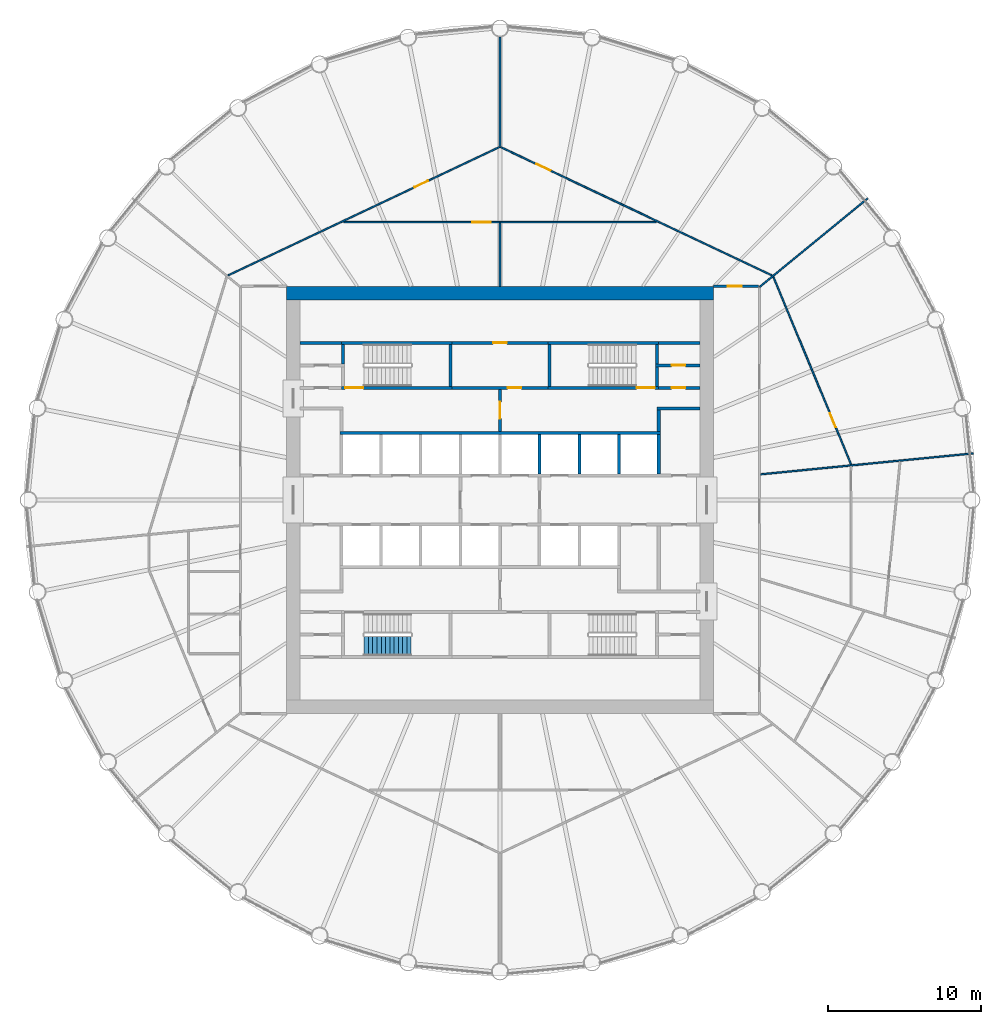
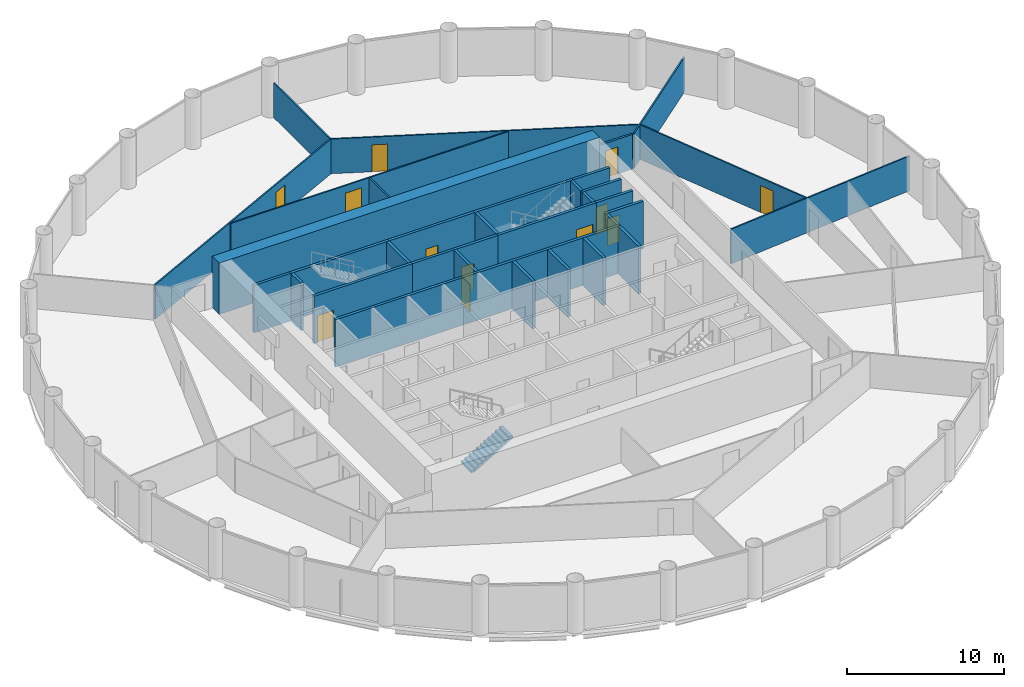
# One storey, part 7 of 9: 33 walls, 12 doors, 1 stair flight, 12 openings, 1 element without a shape of its own.
"""IFC4 building model written with IfcOpenShell, lengths in metres."""

import ifcopenshell
import ifcopenshell.guid

model = None  # the IFC model being written
_history = None  # IfcOwnerHistory: only IFC2X3 demands one
_inside = {}  # id of a spatial element -> (the spatial element, [elements in it])
_under = {}  # id of a project, library or spatial element -> (it, [spatial elements below it])
_declared = {}  # id of a project -> (the project, [libraries it declares])
_typed = {}  # id of a type object -> (the type object, [elements of that type])
_made_of = {}  # id of a material, layer set ... -> (it, [elements and type objects made of it])


def new_model(schema):
    """Start an empty IFC model of exactly this schema.

    Asked for "IFC4X3", IfcOpenShell would pick the latest addendum, in which some entities
    have other attributes; the version numbers below select the first issue.
    IFC2X3 requires an IfcOwnerHistory on every rooted entity: one is made here for all.
    """
    global model, _history
    if schema == "IFC4X3":
        model = ifcopenshell.file(schema_version=(4, 3, 0, 0))
    else:
        model = ifcopenshell.file(schema=schema)
    _inside.clear()
    _under.clear()
    _declared.clear()
    _typed.clear()
    _made_of.clear()
    _history = None
    if model.schema == "IFC2X3":
        org = make("IfcOrganization", Name="unknown")
        user = make(
            "IfcPersonAndOrganization",
            ThePerson=make("IfcPerson", FamilyName="unknown"),
            TheOrganization=org,
        )
        app = make(
            "IfcApplication",
            ApplicationDeveloper=org,
            Version="unknown",
            ApplicationFullName="unknown",
            ApplicationIdentifier="unknown",
        )
        _history = make(
            "IfcOwnerHistory",
            OwningUser=user,
            OwningApplication=app,
            ChangeAction="ADDED",
            CreationDate=0,
        )
    return model


def make(cls, **values):
    """One entity of the class cls with the attributes given. An attribute that is None is left unset."""
    return model.create_entity(
        cls, **{name: value for name, value in values.items() if value is not None}
    )


def rooted(cls, **values):
    """An entity with a GlobalId (a new one), such as an element, a storey or a relation."""
    return make(cls, GlobalId=ifcopenshell.guid.new(), OwnerHistory=_history, **values)


def si_unit(unit_type, name, prefix=None):
    """IfcSIUnit, for example si_unit("LENGTHUNIT", "METRE", prefix="MILLI")."""
    return make("IfcSIUnit", UnitType=unit_type, Prefix=prefix, Name=name)


def assignment(units):
    """IfcUnitAssignment: the units of a project."""
    return None if units is None else make("IfcUnitAssignment", Units=units)


def point(xyz):
    """IfcCartesianPoint."""
    return None if xyz is None else make("IfcCartesianPoint", Coordinates=xyz)


def direction(xyz):
    """IfcDirection."""
    return None if xyz is None else make("IfcDirection", DirectionRatios=xyz)


def frame(location, z_axis=None, x_axis=None):
    """IfcAxis2Placement3D, a coordinate frame: its origin and axes. An axis left out is left unset."""
    return make(
        "IfcAxis2Placement3D",
        Location=point(location),
        Axis=direction(z_axis),
        RefDirection=direction(x_axis),
    )


def frame_2d(location, x_axis=None):
    """IfcAxis2Placement2D, a coordinate frame in the plane: its origin and x axis."""
    return make(
        "IfcAxis2Placement2D", Location=point(location), RefDirection=direction(x_axis)
    )


def origin():
    """The frame at (0, 0, 0) with its axes left unset."""
    return frame((0.0, 0.0, 0.0))


def place(relative_to, where):
    """IfcLocalPlacement: puts the frame where relative to a parent placement (None: the world)."""
    return make(
        "IfcLocalPlacement", PlacementRelTo=relative_to, RelativePlacement=where
    )


def context(
    kind, dimensions, precision=None, world=None, true_north=None, identifier=None
):
    """IfcGeometricRepresentationContext, for example the 3D "Model" context."""
    return make(
        "IfcGeometricRepresentationContext",
        ContextIdentifier=identifier,
        ContextType=kind,
        CoordinateSpaceDimension=dimensions,
        Precision=precision,
        WorldCoordinateSystem=world,
        TrueNorth=true_north,
    )


def subcontext(parent, identifier, kind, view, scale=None):
    """IfcGeometricRepresentationSubContext, for example "Body" below "Model"."""
    return make(
        "IfcGeometricRepresentationSubContext",
        ContextIdentifier=identifier,
        ContextType=kind,
        ParentContext=parent,
        TargetScale=scale,
        TargetView=view,
    )


def project(units=None, contexts=None):
    """IfcProject with its units and contexts."""
    return rooted(
        "IfcProject",
        Name="project",
        RepresentationContexts=contexts,
        UnitsInContext=assignment(units),
    )


def spatial(cls, under=None, at=None, **own):
    """A site, building, storey or space (cls), placed at a placement, below another one or the project."""
    s = rooted(cls, ObjectPlacement=at, **own)
    if under is not None:
        _under.setdefault(under.id(), (under, []))[1].append(s)
    return s


def polyline(points):
    """IfcPolyline through the points."""
    return make("IfcPolyline", Points=[point(p) for p in points])


def profile(cls, at=None, kind="AREA", **sizes):
    """A parametric profile (cls). Its sizes go by their IFC names, for example OverallWidth=200.0."""
    return make(cls, ProfileType=kind, Position=at, **sizes)


def rectangle(**sizes):
    """IfcRectangleProfileDef."""
    return profile("IfcRectangleProfileDef", **sizes)


def outline(outer, holes=None, kind="AREA"):
    """IfcArbitraryClosedProfileDef: a profile drawn as a closed curve; with holes, ...WithVoids."""
    if holes is None:
        return make("IfcArbitraryClosedProfileDef", ProfileType=kind, OuterCurve=outer)
    return make(
        "IfcArbitraryProfileDefWithVoids",
        ProfileType=kind,
        OuterCurve=outer,
        InnerCurves=holes,
    )


def extrude(swept, where, along, depth):
    """IfcExtrudedAreaSolid: the profile swept, set in the frame where, extruded along a direction by depth."""
    return make(
        "IfcExtrudedAreaSolid",
        SweptArea=swept,
        Position=where,
        ExtrudedDirection=direction(along),
        Depth=depth,
    )


def shape(context_of_items, identifier, shape_type, items):
    """IfcShapeRepresentation: the items that make up one representation, for example the "Body"."""
    return make(
        "IfcShapeRepresentation",
        ContextOfItems=context_of_items,
        RepresentationIdentifier=identifier,
        RepresentationType=shape_type,
        Items=items,
    )


def material(Name=None, Category=None):
    """IfcMaterial."""
    return make("IfcMaterial", Name=Name, Category=Category)


def layer(
    of_material, thickness, ventilated=None, Name=None, Category=None, Priority=None
):
    """IfcMaterialLayer: one layer of a wall or slab, of a material (None: an air gap)."""
    return make(
        "IfcMaterialLayer",
        Material=of_material,
        LayerThickness=thickness,
        IsVentilated=ventilated,
        Name=Name,
        Category=Category,
        Priority=Priority,
    )


def layer_set(layers, Name=None):
    """IfcMaterialLayerSet."""
    return make("IfcMaterialLayerSet", MaterialLayers=layers, LayerSetName=Name)


def made_of(thing, what):
    """Note that an element or type object is made of a material, layer set ...; save() writes the relation."""
    if what is not None:
        _made_of.setdefault(what.id(), (what, []))[1].append(thing)
    return thing


def type_object(cls, material=None, **own):
    """A type object (cls), such as IfcWallType, which elements share."""
    return made_of(rooted(cls, **own), material)


def element(
    cls,
    number,
    at=None,
    inside=None,
    cuts=None,
    type_object=None,
    material=None,
    context=None,
    identifier="Body",
    shape_type=None,
    held_by="IfcProductDefinitionShape",
    body=None,
    shapes=None,
    **own,
):
    """One element of the class cls, such as IfcWall. Its Tag is "e" and its number.

    at: its placement. inside: the storey or other place that contains it. cuts: it is an
    opening in that element (IfcRelVoidsElement). A single representation is given by context,
    identifier, shape_type and body (its items); several are given by shapes. held_by: the class
    of the entity that holds the representations. save() writes the other relations.
    """
    e = rooted(cls, Tag="e%d" % number, ObjectPlacement=at, **own)
    if body is not None:
        shapes = [shape(context, identifier, shape_type, body)]
    if shapes is not None:
        e.Representation = make(held_by, Representations=shapes)
    if inside is not None:
        _inside.setdefault(inside.id(), (inside, []))[1].append(e)
    if cuts is not None:
        rooted(
            "IfcRelVoidsElement", RelatingBuildingElement=cuts, RelatedOpeningElement=e
        )
    if type_object is not None:
        _typed.setdefault(type_object.id(), (type_object, []))[1].append(e)
    return made_of(e, material)


def fill(opening, filler):
    """IfcRelFillsElement: the door or window that sits in an opening."""
    return rooted(
        "IfcRelFillsElement",
        RelatingOpeningElement=opening,
        RelatedBuildingElement=filler,
    )


def aggregate(whole, parts):
    """IfcRelAggregates: a whole, such as a stair, and the parts it consists of."""
    return rooted("IfcRelAggregates", RelatingObject=whole, RelatedObjects=parts)


def save(model, path):
    """Write the relations noted so far, then the file.

    IfcRelAggregates (storeys below a building ...), IfcRelContainedInSpatialStructure (elements
    in a storey), IfcRelDefinesByType, IfcRelAssociatesMaterial and IfcRelDeclares: one each for
    every whole, place, type object, material and project.
    """
    for whole, parts in _under.values():
        aggregate(whole, parts)
    for where, things in _inside.values():
        rooted(
            "IfcRelContainedInSpatialStructure",
            RelatedElements=things,
            RelatingStructure=where,
        )
    for kind, things in _typed.values():
        rooted("IfcRelDefinesByType", RelatedObjects=things, RelatingType=kind)
    for what, things in _made_of.values():
        rooted("IfcRelAssociatesMaterial", RelatedObjects=things, RelatingMaterial=what)
    for by, libraries in _declared.values():
        rooted("IfcRelDeclares", RelatingContext=by, RelatedDefinitions=libraries)
    model.write(path)


model = new_model("IFC4")

# Units and contexts
model_context = context("Model", 3, precision=1e-05, world=origin(), true_north=direction((0.0, 1.0)))
body_context = subcontext(model_context, "Body", "Model", "MODEL_VIEW")
ifc_project = project(units=[si_unit("LENGTHUNIT", "METRE"), si_unit("AREAUNIT", "SQUARE_METRE"), si_unit("VOLUMEUNIT", "CUBIC_METRE"), si_unit("PLANEANGLEUNIT", "RADIAN"), si_unit("MASSUNIT", "GRAM", prefix="KILO")], contexts=[model_context])

# Site, building, storey
site_placement = place(None, origin())
site = spatial("IfcSite", under=ifc_project, at=site_placement, CompositionType="ELEMENT")
building_placement = place(site_placement, origin())
building = spatial("IfcBuilding", under=site, at=building_placement, Name="Corvane Civic Tower", CompositionType="ELEMENT")
storey_placement = place(building_placement, frame((0.0, 0.0, 172.0)))
storey = spatial("IfcBuildingStorey", under=building, at=storey_placement, Name="L40", CompositionType="ELEMENT", Elevation=172.0)

# Wall
ifc_material_1 = material(Name="Concrete C60/75", Category="concrete")
ifc_layer_1 = layer(ifc_material_1, 0.89990234375)
ifc_layer_set_1 = layer_set([ifc_layer_1], Name="Concrete C60/75")
wall_type_1 = type_object("IfcWallType", Name="CORE WALL 900 C60/75", PredefinedType="SHEAR", material=ifc_layer_set_1)
wall_1_placement = place(storey_placement, frame((-14.0, 13.550048828125, 0.0), z_axis=(0.0, 0.0, 1.0), x_axis=(1.0, 0.0, 0.0)))
element("IfcWall", 1, at=wall_1_placement, inside=storey, type_object=wall_type_1, Name="W-L40-core-N", PredefinedType="SHEAR", context=body_context, shape_type="SweptSolid", body=[
    extrude(rectangle(XDim=28.0, YDim=0.89990234375, at=frame_2d((14.0, 0.0))), origin(), (0.0, 0.0, 1.0), 4.0),
])

# Wall, opening, door
ifc_material_2 = material(Name="Concrete C30/37", Category="concrete")
ifc_layer_2 = layer(ifc_material_2, 0.199951171875)
ifc_layer_set_2 = layer_set([ifc_layer_2], Name="Concrete C30/37")
wall_type_2 = type_object("IfcWallType", Name="CR-WALL-200", PredefinedType="PARTITIONING", material=ifc_layer_set_2)
wall_2_placement = place(storey_placement, frame((-3.14990234375, 7.35009765625, 0.0), z_axis=(0.0, 0.0, 1.0), x_axis=(1.0, 0.0, 0.0)))
wall_2 = element("IfcWall", 2, at=wall_2_placement, inside=storey, type_object=wall_type_2, Name="L40 partition wall", PredefinedType="PARTITIONING", context=body_context, shape_type="SweptSolid", body=[
    extrude(rectangle(XDim=6.2998046875, YDim=0.199951171875, at=frame_2d((3.14990234375, 0.0))), origin(), (0.0, 0.0, 1.0), 3.699951171875),
])
opening_1_placement = place(wall_2_placement, frame((3.64990234375, 0.0, 0.0)))
opening_1 = element("IfcOpeningElement", 3, at=opening_1_placement, cuts=wall_2, Name="Opening L40.C07", PredefinedType="OPENING", context=body_context, shape_type="SweptSolid", body=[
    extrude(rectangle(XDim=0.89990234375, YDim=2.10009765625, at=frame_2d((0.449951171875, 1.050048828125))), frame((0.0, 0.10986328125, 0.0), z_axis=(0.0, -1.0, 0.0), x_axis=(1.0, 0.0, 0.0)), (0.0, 0.0, 1.0), 0.219970703125),
])
ifc_material_3 = material(Name="Steel fire door leaf", Category="steel")
door_type_1 = type_object("IfcDoorType", Name="CR-DOOR-900", OperationType="SINGLE_SWING_LEFT", PredefinedType="DOOR", material=ifc_material_3)
door_1_placement = place(opening_1_placement, origin())
door_1 = element("IfcDoor", 4, at=door_1_placement, inside=storey, type_object=door_type_1, Name="L40 door", OperationType="SINGLE_SWING_LEFT", OverallHeight=2.10009765625, OverallWidth=0.89990234375, PredefinedType="DOOR", context=body_context, shape_type="SweptSolid", body=[
    extrude(rectangle(XDim=0.89990234375, YDim=2.10009765625, at=frame_2d((0.449951171875, 1.050048828125))), frame((0.0, 0.02490234375, 0.0), z_axis=(0.0, -1.0, 0.0), x_axis=(1.0, 0.0, 0.0)), (0.0, 0.0, 1.0), 0.050048828125),
])
fill(opening_1, door_1)

wall_3_placement = place(storey_placement, frame((10.39990234375, 7.35009765625, 0.0), z_axis=(0.0, 0.0, 1.0), x_axis=(1.0, 0.0, 0.0)))
wall_3 = element("IfcWall", 5, at=wall_3_placement, inside=storey, type_object=wall_type_2, Name="L40 core partition wall", PredefinedType="PARTITIONING", context=body_context, shape_type="SweptSolid", body=[
    extrude(rectangle(XDim=2.7001953125, YDim=0.199951171875, at=frame_2d((1.35009765625, 0.0))), origin(), (0.0, 0.0, 1.0), 3.699951171875),
])
opening_2_placement = place(wall_3_placement, frame((0.85009765625, 0.0, 0.0)))
opening_2 = element("IfcOpeningElement", 6, at=opening_2_placement, cuts=wall_3, Name="Opening L40.C16", PredefinedType="OPENING", context=body_context, shape_type="SweptSolid", body=[
    extrude(rectangle(XDim=0.89990234375, YDim=2.10009765625, at=frame_2d((0.449951171875, 1.050048828125))), frame((0.0, 0.10986328125, 0.0), z_axis=(0.0, -1.0, 0.0), x_axis=(1.0, 0.0, 0.0)), (0.0, 0.0, 1.0), 0.219970703125),
])
door_2_placement = place(opening_2_placement, origin())
door_2 = element("IfcDoor", 7, at=door_2_placement, inside=storey, type_object=door_type_1, Name="L40 door", OperationType="SINGLE_SWING_LEFT", OverallHeight=2.10009765625, OverallWidth=0.89990234375, PredefinedType="DOOR", context=body_context, shape_type="SweptSolid", body=[
    extrude(rectangle(XDim=0.89990234375, YDim=2.10009765625, at=frame_2d((0.449951171875, 1.050048828125))), frame((0.0, 0.02490234375, 0.0), z_axis=(0.0, -1.0, 0.0), x_axis=(1.0, 0.0, 0.0)), (0.0, 0.0, 1.0), 0.050048828125),
])
fill(opening_2, door_2)

wall_4_placement = place(storey_placement, frame((10.199951171875, 8.824951171875, 0.0), z_axis=(0.0, 0.0, 1.0), x_axis=(1.0, 0.0, 0.0)))
wall_4 = element("IfcWall", 8, at=wall_4_placement, inside=storey, type_object=wall_type_2, Name="L40 partition wall", PredefinedType="PARTITIONING", context=body_context, shape_type="SweptSolid", body=[
    extrude(rectangle(XDim=2.900146484375, YDim=0.199951171875, at=frame_2d((1.4501953125, 0.0))), origin(), (0.0, 0.0, 1.0), 3.699951171875),
])
opening_3_placement = place(wall_4_placement, frame((1.050048828125, 0.0, 0.0)))
opening_3 = element("IfcOpeningElement", 9, at=opening_3_placement, cuts=wall_4, Name="Opening L40.C17", PredefinedType="OPENING", context=body_context, shape_type="SweptSolid", body=[
    extrude(rectangle(XDim=0.89990234375, YDim=2.10009765625, at=frame_2d((0.449951171875, 1.050048828125))), frame((0.0, 0.10986328125, 0.0), z_axis=(0.0, -1.0, 0.0), x_axis=(1.0, 0.0, 0.0)), (0.0, 0.0, 1.0), 0.219970703125),
])
door_3_placement = place(opening_3_placement, origin())
door_3 = element("IfcDoor", 10, at=door_3_placement, inside=storey, type_object=door_type_1, Name="L40 door", OperationType="SINGLE_SWING_LEFT", OverallHeight=2.10009765625, OverallWidth=0.89990234375, PredefinedType="DOOR", context=body_context, shape_type="SweptSolid", body=[
    extrude(rectangle(XDim=0.89990234375, YDim=2.10009765625, at=frame_2d((0.449951171875, 1.050048828125))), frame((0.0, 0.02490234375, 0.0), z_axis=(0.0, -1.0, 0.0), x_axis=(1.0, 0.0, 0.0)), (0.0, 0.0, 1.0), 0.050048828125),
])
fill(opening_3, door_3)

wall_5_placement = place(storey_placement, frame((-3.14990234375, 10.300048828125, 0.0), z_axis=(0.0, 0.0, 1.0), x_axis=(1.0, 0.0, 0.0)))
wall_5 = element("IfcWall", 11, at=wall_5_placement, inside=storey, type_object=wall_type_2, Name="L40 partition wall", PredefinedType="PARTITIONING", context=body_context, shape_type="SweptSolid", body=[
    extrude(rectangle(XDim=6.2998046875, YDim=0.199951171875, at=frame_2d((3.14990234375, 0.0))), origin(), (0.0, 0.0, 1.0), 3.699951171875),
])
opening_4_placement = place(wall_5_placement, frame((2.699951171875, 0.0, 0.0)))
opening_4 = element("IfcOpeningElement", 12, at=opening_4_placement, cuts=wall_5, Name="Opening L40.C09", PredefinedType="OPENING", context=body_context, shape_type="SweptSolid", body=[
    extrude(rectangle(XDim=0.89990234375, YDim=2.10009765625, at=frame_2d((0.449951171875, 1.050048828125))), frame((0.0, 0.10986328125, 0.0), z_axis=(0.0, -1.0, 0.0), x_axis=(1.0, 0.0, 0.0)), (0.0, 0.0, 1.0), 0.219970703125),
])
door_4_placement = place(opening_4_placement, origin())
door_4 = element("IfcDoor", 13, at=door_4_placement, inside=storey, type_object=door_type_1, Name="L40 door", OperationType="SINGLE_SWING_LEFT", OverallHeight=2.10009765625, OverallWidth=0.89990234375, PredefinedType="DOOR", context=body_context, shape_type="SweptSolid", body=[
    extrude(rectangle(XDim=0.89990234375, YDim=2.10009765625, at=frame_2d((0.449951171875, 1.050048828125))), frame((0.0, 0.02490234375, 0.0), z_axis=(0.0, -1.0, 0.0), x_axis=(1.0, 0.0, 0.0)), (0.0, 0.0, 1.0), 0.050048828125),
])
fill(opening_4, door_4)

wall_6_placement = place(storey_placement, frame((0.0, 4.5, 0.0), z_axis=(0.0, 0.0, 1.0), x_axis=(0.0, 1.0, 0.0)))
wall_6 = element("IfcWall", 14, at=wall_6_placement, inside=storey, type_object=wall_type_2, Name="L40 core partition wall", PredefinedType="PARTITIONING", context=body_context, shape_type="SweptSolid", body=[
    extrude(rectangle(XDim=2.75, YDim=0.199951171875, at=frame_2d((1.375, 0.0))), origin(), (0.0, 0.0, 1.0), 3.699951171875),
])
opening_5_placement = place(wall_6_placement, frame((0.824951171875, 0.0, 0.0)))
opening_5 = element("IfcOpeningElement", 15, at=opening_5_placement, cuts=wall_6, Name="Opening L40.C26", PredefinedType="OPENING", context=body_context, shape_type="SweptSolid", body=[
    extrude(rectangle(XDim=1.10009765625, YDim=2.10009765625, at=frame_2d((0.550048828125, 1.050048828125))), frame((0.0, 0.10986328125, 0.0), z_axis=(0.0, -1.0, 0.0), x_axis=(1.0, 0.0, 0.0)), (0.0, 0.0, 1.0), 0.219970703125),
])
ifc_material_4 = material(Name="Steel fire door leaf", Category="steel")
door_type_2 = type_object("IfcDoorType", Name="CR-DOOR-FFL-1100", OperationType="SINGLE_SWING_LEFT", PredefinedType="DOOR", material=ifc_material_4)
door_5_placement = place(opening_5_placement, origin())
door_5 = element("IfcDoor", 16, at=door_5_placement, inside=storey, type_object=door_type_2, Name="L40 lobby door", OperationType="SINGLE_SWING_LEFT", OverallHeight=2.10009765625, OverallWidth=1.10009765625, PredefinedType="DOOR", context=body_context, shape_type="SweptSolid", body=[
    extrude(rectangle(XDim=1.10009765625, YDim=2.10009765625, at=frame_2d((0.550048828125, 1.050048828125))), frame((0.0, 0.02490234375, 0.0), z_axis=(0.0, -1.0, 0.0), x_axis=(1.0, 0.0, 0.0)), (0.0, 0.0, 1.0), 0.050048828125),
])
fill(opening_5, door_5)

# Walls
wall_7_placement = place(storey_placement, origin())
element("IfcWall", 17, at=wall_7_placement, inside=storey, type_object=wall_type_2, Name="L40 core partition wall", PredefinedType="PARTITIONING", context=body_context, shape_type="SweptSolid", body=[
    extrude(outline(polyline([(10.5, 4.5), (10.5, 4.300048828125), (-10.5, 4.300048828125), (-10.5, 4.5), (10.5, 4.5)])), origin(), (0.0, 0.0, 1.0), 3.699951171875),
])
wall_8_placement = place(storey_placement, origin())
element("IfcWall", 18, at=wall_8_placement, inside=storey, type_object=wall_type_2, Name="L40 core partition wall", PredefinedType="PARTITIONING", context=body_context, shape_type="SweptSolid", body=[
    extrude(outline(polyline([(13.10009765625, 5.89990234375), (10.300048828125, 5.89990234375), (10.300048828125, 6.10009765625), (13.10009765625, 6.10009765625), (13.10009765625, 5.89990234375)])), origin(), (0.0, 0.0, 1.0), 3.699951171875),
])
wall_9_placement = place(storey_placement, origin())
element("IfcWall", 19, at=wall_9_placement, inside=storey, type_object=wall_type_2, Name="L40 core partition wall", PredefinedType="PARTITIONING", context=body_context, shape_type="SweptSolid", body=[
    extrude(outline(polyline([(2.699951171875, 1.699951171875), (2.5, 1.699951171875), (2.5, 4.2998046875), (2.699951171875, 4.2998046875), (2.699951171875, 1.699951171875)])), origin(), (0.0, 0.0, 1.0), 3.699951171875),
])
wall_10_placement = place(storey_placement, origin())
element("IfcWall", 20, at=wall_10_placement, inside=storey, type_object=wall_type_2, Name="L40 core partition wall", PredefinedType="PARTITIONING", context=body_context, shape_type="SweptSolid", body=[
    extrude(outline(polyline([(5.300048828125, 1.699951171875), (5.10009765625, 1.699951171875), (5.10009765625, 4.2998046875), (5.300048828125, 4.2998046875), (5.300048828125, 1.699951171875)])), origin(), (0.0, 0.0, 1.0), 3.699951171875),
])
wall_11_placement = place(storey_placement, origin())
element("IfcWall", 21, at=wall_11_placement, inside=storey, type_object=wall_type_2, Name="L40 core partition wall", PredefinedType="PARTITIONING", context=body_context, shape_type="SweptSolid", body=[
    extrude(outline(polyline([(7.89990234375, 1.699951171875), (7.699951171875, 1.699951171875), (7.699951171875, 4.2998046875), (7.89990234375, 4.2998046875), (7.89990234375, 1.699951171875)])), origin(), (0.0, 0.0, 1.0), 3.699951171875),
])
wall_12_placement = place(storey_placement, origin())
element("IfcWall", 22, at=wall_12_placement, inside=storey, type_object=wall_type_2, Name="L40 core partition wall", PredefinedType="PARTITIONING", context=body_context, shape_type="SweptSolid", body=[
    extrude(outline(polyline([(10.5, 1.699951171875), (10.300048828125, 1.699951171875), (10.300048828125, 4.2998046875), (10.5, 4.2998046875), (10.5, 1.699951171875)])), origin(), (0.0, 0.0, 1.0), 3.699951171875),
])
wall_13_placement = place(storey_placement, origin())
element("IfcWall", 23, at=wall_13_placement, inside=storey, type_object=wall_type_2, Name="L40 core partition wall", PredefinedType="PARTITIONING", context=body_context, shape_type="SweptSolid", body=[
    extrude(outline(polyline([(10.5, 4.5), (10.300048828125, 4.5), (10.300048828125, 5.89990234375), (10.5, 5.89990234375), (10.5, 4.5)])), origin(), (0.0, 0.0, 1.0), 3.699951171875),
])
wall_14_placement = place(storey_placement, origin())
element("IfcWall", 24, at=wall_14_placement, inside=storey, type_object=wall_type_2, Name="L40 core partition wall", PredefinedType="PARTITIONING", context=body_context, shape_type="SweptSolid", body=[
    extrude(outline(polyline([(-13.10009765625, 10.199951171875), (-13.10009765625, 10.39990234375), (-10.39990234375, 10.39990234375), (-10.39990234375, 10.199951171875), (-13.10009765625, 10.199951171875)])), origin(), (0.0, 0.0, 1.0), 3.699951171875),
])
wall_15_placement = place(storey_placement, origin())
element("IfcWall", 25, at=wall_15_placement, inside=storey, type_object=wall_type_2, Name="L40 core partition wall", PredefinedType="PARTITIONING", context=body_context, shape_type="SweptSolid", body=[
    extrude(outline(polyline([(10.39990234375, 10.199951171875), (10.39990234375, 10.39990234375), (13.10009765625, 10.39990234375), (13.10009765625, 10.199951171875), (10.39990234375, 10.199951171875)])), origin(), (0.0, 0.0, 1.0), 3.699951171875),
])
ifc_material_5 = material(Name="Plasterboard")
ifc_layer_3 = layer(ifc_material_5, 0.10009765625)
ifc_layer_set_3 = layer_set([ifc_layer_3], Name="Plasterboard")
wall_type_3 = type_object("IfcWallType", Name="Partition 100 plasterboard on studs", PredefinedType="PARTITIONING", material=ifc_layer_set_3)
wall_16_placement = place(storey_placement, frame((17.079833984375, 1.68212890625, 0.0), z_axis=(0.0, 0.0, 1.0), x_axis=(0.995184356936, 0.098020894254, 0.0)))
element("IfcWall", 26, at=wall_16_placement, inside=storey, type_object=wall_type_3, Name="Partition L40.024", PredefinedType="PARTITIONING", context=body_context, shape_type="SweptSolid", body=[
    extrude(rectangle(XDim=13.98779296875, YDim=0.10009765625, at=frame_2d((6.993896484375, 0.0))), origin(), (0.0, 0.0, 1.0), 2.699951171875),
])

# Wall, opening, door
wall_17_placement = place(storey_placement, frame((17.913818359375, 14.617919921875, 0.0), z_axis=(0.0, 0.0, 1.0), x_axis=(0.382684147152, -0.923879236437, 0.0)))
wall_17 = element("IfcWall", 27, at=wall_17_placement, inside=storey, type_object=wall_type_3, Name="Partition L40.025", PredefinedType="PARTITIONING", context=body_context, shape_type="SweptSolid", body=[
    extrude(rectangle(XDim=13.2998046875, YDim=0.10009765625, at=frame_2d((6.64990234375, 0.0))), origin(), (0.0, 0.0, 1.0), 2.699951171875),
])
opening_6_placement = place(wall_17_placement, frame((9.664794921875, 0.0, 0.0)))
opening_6 = element("IfcOpeningElement", 28, at=opening_6_placement, cuts=wall_17, Name="Opening L40.011", PredefinedType="OPENING", context=body_context, shape_type="SweptSolid", body=[
    extrude(rectangle(XDim=1.0, YDim=2.10009765625, at=frame_2d((0.5, 1.050048828125))), frame((0.0, 0.06005859375, 0.0), z_axis=(0.0, -1.0, 0.0), x_axis=(1.0, 0.0, 0.0)), (0.0, 0.0, 1.0), 0.1201171875),
])
ifc_material_6 = material(Name="Timber", Category="wood")
door_type_3 = type_object("IfcDoorType", Name="Single door 1000", OperationType="NOTDEFINED", PredefinedType="DOOR", material=ifc_material_6)
door_6_placement = place(opening_6_placement, origin())
door_6 = element("IfcDoor", 29, at=door_6_placement, inside=storey, type_object=door_type_3, Name="Door L40.011", OperationType="SINGLE_SWING_LEFT", OverallHeight=2.10009765625, OverallWidth=1.0, PredefinedType="DOOR", context=body_context, shape_type="SweptSolid", body=[
    extrude(rectangle(XDim=1.0, YDim=2.10009765625, at=frame_2d((0.5, 1.050048828125))), frame((0.0, 0.02490234375, 0.0), z_axis=(0.0, -1.0, 0.0), x_axis=(1.0, 0.0, 0.0)), (0.0, 0.0, 1.0), 0.050048828125),
])
fill(opening_6, door_6)

# Walls
wall_18_placement = place(storey_placement, frame((17.018310546875, 13.966552734375, 0.0), z_axis=(0.0, 0.0, 1.0), x_axis=(0.773006154143, 0.634398522742, 0.0)))
element("IfcWall", 30, at=wall_18_placement, inside=storey, type_object=wall_type_3, Name="Partition L40.027", PredefinedType="PARTITIONING", context=body_context, shape_type="SweptSolid", body=[
    extrude(rectangle(XDim=9.134521484375, YDim=0.10009765625, at=frame_2d((4.5673828125, 0.0))), origin(), (0.0, 0.0, 1.0), 2.699951171875),
])
wall_19_placement = place(storey_placement, frame((0.0, 14.0, 0.0), z_axis=(0.0, 0.0, 1.0), x_axis=(0.0, 1.0, 0.0)))
element("IfcWall", 31, at=wall_19_placement, inside=storey, type_object=wall_type_3, Name="Partition L40.029", PredefinedType="PARTITIONING", context=body_context, shape_type="SweptSolid", body=[
    extrude(rectangle(XDim=4.14990234375, YDim=0.10009765625, at=frame_2d((2.074951171875, 0.0))), origin(), (0.0, 0.0, 1.0), 2.699951171875),
])

# Wall, opening, door
wall_20_placement = place(storey_placement, frame((-17.81640625, 14.714111328125, 0.0), z_axis=(0.0, 0.0, 1.0), x_axis=(0.903992844698, 0.427547584176, 0.0)))
wall_20 = element("IfcWall", 32, at=wall_20_placement, inside=storey, type_object=wall_type_3, Name="Partition L40.031", PredefinedType="PARTITIONING", context=body_context, shape_type="SweptSolid", body=[
    extrude(rectangle(XDim=19.677001953125, YDim=0.10009765625, at=frame_2d((9.83837890625, 0.0))), origin(), (0.0, 0.0, 1.0), 2.699951171875),
])
opening_7_placement = place(wall_20_placement, frame((13.500732421875, 0.0, 0.0)))
opening_7 = element("IfcOpeningElement", 33, at=opening_7_placement, cuts=wall_20, Name="Opening L40.001", PredefinedType="OPENING", context=body_context, shape_type="SweptSolid", body=[
    extrude(rectangle(XDim=1.0, YDim=2.10009765625, at=frame_2d((0.5, 1.050048828125))), frame((0.0, 0.06005859375, 0.0), z_axis=(0.0, -1.0, 0.0), x_axis=(1.0, 0.0, 0.0)), (0.0, 0.0, 1.0), 0.1201171875),
])
door_7_placement = place(opening_7_placement, origin())
door_7 = element("IfcDoor", 34, at=door_7_placement, inside=storey, type_object=door_type_3, Name="Door L40.001", OperationType="SINGLE_SWING_LEFT", OverallHeight=2.10009765625, OverallWidth=1.0, PredefinedType="DOOR", context=body_context, shape_type="SweptSolid", body=[
    extrude(rectangle(XDim=1.0, YDim=2.10009765625, at=frame_2d((0.5, 1.050048828125))), frame((0.0, 0.02490234375, 0.0), z_axis=(0.0, -1.0, 0.0), x_axis=(1.0, 0.0, 0.0)), (0.0, 0.0, 1.0), 0.050048828125),
])
fill(opening_7, door_7)

wall_21_placement = place(storey_placement, frame((0.028564453125, 23.126953125, 0.0), z_axis=(0.0, 0.0, 1.0), x_axis=(0.903992844698, -0.427547584176, 0.0)))
wall_21 = element("IfcWall", 35, at=wall_21_placement, inside=storey, type_object=wall_type_3, Name="Partition L40.032", PredefinedType="PARTITIONING", context=body_context, shape_type="SweptSolid", body=[
    extrude(rectangle(XDim=19.677001953125, YDim=0.10009765625, at=frame_2d((9.83837890625, 0.0))), origin(), (0.0, 0.0, 1.0), 2.699951171875),
])
opening_8_placement = place(wall_21_placement, frame((2.617919921875, 0.0, 0.0)))
opening_8 = element("IfcOpeningElement", 36, at=opening_8_placement, cuts=wall_21, Name="Opening L40.002", PredefinedType="OPENING", context=body_context, shape_type="SweptSolid", body=[
    extrude(rectangle(XDim=1.0, YDim=2.10009765625, at=frame_2d((0.5, 1.050048828125))), frame((0.0, 0.06005859375, 0.0), z_axis=(0.0, -1.0, 0.0), x_axis=(1.0, 0.0, 0.0)), (0.0, 0.0, 1.0), 0.1201171875),
])
door_8_placement = place(opening_8_placement, origin())
door_8 = element("IfcDoor", 37, at=door_8_placement, inside=storey, type_object=door_type_3, Name="Door L40.002", OperationType="SINGLE_SWING_LEFT", OverallHeight=2.10009765625, OverallWidth=1.0, PredefinedType="DOOR", context=body_context, shape_type="SweptSolid", body=[
    extrude(rectangle(XDim=1.0, YDim=2.10009765625, at=frame_2d((0.5, 1.050048828125))), frame((0.0, 0.02490234375, 0.0), z_axis=(0.0, -1.0, 0.0), x_axis=(1.0, 0.0, 0.0)), (0.0, 0.0, 1.0), 0.050048828125),
])
fill(opening_8, door_8)

wall_22_placement = place(storey_placement, frame((-10.22314453125, 18.199951171875, 0.0), z_axis=(0.0, 0.0, 1.0), x_axis=(1.0, 0.0, 0.0)))
wall_22 = element("IfcWall", 38, at=wall_22_placement, inside=storey, type_object=wall_type_3, Name="Partition L40.033", PredefinedType="PARTITIONING", context=body_context, shape_type="SweptSolid", body=[
    extrude(rectangle(XDim=20.4462890625, YDim=0.10009765625, at=frame_2d((10.22314453125, 0.0))), origin(), (0.0, 0.0, 1.0), 2.699951171875),
])
opening_9_placement = place(wall_22_placement, frame((8.420654296875, 0.0, 0.0)))
opening_9 = element("IfcOpeningElement", 39, at=opening_9_placement, cuts=wall_22, Name="Opening L40.003", PredefinedType="OPENING", context=body_context, shape_type="SweptSolid", body=[
    extrude(rectangle(XDim=1.199951171875, YDim=2.10009765625, at=frame_2d((0.60009765625, 1.050048828125))), frame((0.0, 0.06005859375, 0.0), z_axis=(0.0, -1.0, 0.0), x_axis=(1.0, 0.0, 0.0)), (0.0, 0.0, 1.0), 0.1201171875),
])
ifc_material_7 = material(Name="Timber", Category="wood")
door_type_4 = type_object("IfcDoorType", Name="Double door 1200", OperationType="NOTDEFINED", PredefinedType="DOOR", material=ifc_material_7)
door_9_placement = place(opening_9_placement, origin())
door_9 = element("IfcDoor", 40, at=door_9_placement, inside=storey, type_object=door_type_4, Name="Door L40.003", OperationType="DOUBLE_DOOR_SINGLE_SWING", OverallHeight=2.10009765625, OverallWidth=1.199951171875, PredefinedType="DOOR", context=body_context, shape_type="SweptSolid", body=[
    extrude(rectangle(XDim=1.199951171875, YDim=2.10009765625, at=frame_2d((0.60009765625, 1.050048828125))), frame((0.0, 0.02490234375, 0.0), z_axis=(0.0, -1.0, 0.0), x_axis=(1.0, 0.0, 0.0)), (0.0, 0.0, 1.0), 0.050048828125),
])
fill(opening_9, door_9)

# Wall
wall_23_placement = place(storey_placement, frame((0.0, 23.172119140625, 0.0), z_axis=(0.0, 0.0, 1.0), x_axis=(0.0, 1.0, 0.0)))
element("IfcWall", 41, at=wall_23_placement, inside=storey, type_object=wall_type_3, Name="Partition L40.034", PredefinedType="PARTITIONING", context=body_context, shape_type="SweptSolid", body=[
    extrude(rectangle(XDim=7.167724609375, YDim=0.10009765625, at=frame_2d((3.583984375, 0.0))), origin(), (0.0, 0.0, 1.0), 2.699951171875),
])

# Wall, opening, door
ifc_material_8 = material(Name="Concrete C50/60", Category="concrete")
ifc_layer_4 = layer(ifc_material_8, 0.199951171875)
ifc_layer_set_4 = layer_set([ifc_layer_4], Name="Concrete C50/60")
wall_type_4 = type_object("IfcWallType", Name="ST-WALL-200", PredefinedType="SHEAR", material=ifc_layer_set_4)
wall_24_placement = place(storey_placement, frame((-10.39990234375, 7.35009765625, 0.0), z_axis=(0.0, 0.0, 1.0), x_axis=(1.0, 0.0, 0.0)))
wall_24 = element("IfcWall", 42, at=wall_24_placement, inside=storey, type_object=wall_type_4, Name="L40 stair enclosure wall", PredefinedType="SHEAR", context=body_context, shape_type="SweptSolid", body=[
    extrude(rectangle(XDim=7.25, YDim=0.199951171875, at=frame_2d((3.625, 0.0))), origin(), (0.0, 0.0, 1.0), 3.699951171875),
])
opening_10_placement = place(wall_24_placement, frame((0.25, 0.0, 0.0)))
opening_10 = element("IfcOpeningElement", 43, at=opening_10_placement, cuts=wall_24, Name="Opening L40.C21", PredefinedType="OPENING", context=body_context, shape_type="SweptSolid", body=[
    extrude(rectangle(XDim=1.199951171875, YDim=2.10009765625, at=frame_2d((0.60009765625, 1.050048828125))), frame((0.0, 0.10986328125, 0.0), z_axis=(0.0, -1.0, 0.0), x_axis=(1.0, 0.0, 0.0)), (0.0, 0.0, 1.0), 0.219970703125),
])
ifc_material_9 = material(Name="Steel fire door leaf", Category="steel")
door_type_5 = type_object("IfcDoorType", Name="ST-DOOR-1200", OperationType="SINGLE_SWING_RIGHT", PredefinedType="DOOR", material=ifc_material_9)
door_10_placement = place(opening_10_placement, origin())
door_10 = element("IfcDoor", 44, at=door_10_placement, inside=storey, type_object=door_type_5, Name="L40 stair door", OperationType="SINGLE_SWING_RIGHT", OverallHeight=2.10009765625, OverallWidth=1.199951171875, PredefinedType="DOOR", context=body_context, shape_type="SweptSolid", body=[
    extrude(rectangle(XDim=1.199951171875, YDim=2.10009765625, at=frame_2d((0.60009765625, 1.050048828125))), frame((0.0, 0.02490234375, 0.0), z_axis=(0.0, -1.0, 0.0), x_axis=(1.0, 0.0, 0.0)), (0.0, 0.0, 1.0), 0.050048828125),
])
fill(opening_10, door_10)

wall_25_placement = place(storey_placement, frame((3.14990234375, 7.35009765625, 0.0), z_axis=(0.0, 0.0, 1.0), x_axis=(1.0, 0.0, 0.0)))
wall_25 = element("IfcWall", 45, at=wall_25_placement, inside=storey, type_object=wall_type_4, Name="L40 stair enclosure wall", PredefinedType="SHEAR", context=body_context, shape_type="SweptSolid", body=[
    extrude(rectangle(XDim=7.25, YDim=0.199951171875, at=frame_2d((3.625, 0.0))), origin(), (0.0, 0.0, 1.0), 3.699951171875),
])
opening_11_placement = place(wall_25_placement, frame((5.800048828125, 0.0, 0.0)))
opening_11 = element("IfcOpeningElement", 46, at=opening_11_placement, cuts=wall_25, Name="Opening L40.C20", PredefinedType="OPENING", context=body_context, shape_type="SweptSolid", body=[
    extrude(rectangle(XDim=1.199951171875, YDim=2.10009765625, at=frame_2d((0.60009765625, 1.050048828125))), frame((0.0, 0.10986328125, 0.0), z_axis=(0.0, -1.0, 0.0), x_axis=(1.0, 0.0, 0.0)), (0.0, 0.0, 1.0), 0.219970703125),
])
door_11_placement = place(opening_11_placement, origin())
door_11 = element("IfcDoor", 47, at=door_11_placement, inside=storey, type_object=door_type_5, Name="L40 stair door", OperationType="SINGLE_SWING_RIGHT", OverallHeight=2.10009765625, OverallWidth=1.199951171875, PredefinedType="DOOR", context=body_context, shape_type="SweptSolid", body=[
    extrude(rectangle(XDim=1.199951171875, YDim=2.10009765625, at=frame_2d((0.60009765625, 1.050048828125))), frame((0.0, 0.02490234375, 0.0), z_axis=(0.0, -1.0, 0.0), x_axis=(1.0, 0.0, 0.0)), (0.0, 0.0, 1.0), 0.050048828125),
])
fill(opening_11, door_11)

# Walls
wall_26_placement = place(storey_placement, origin())
element("IfcWall", 48, at=wall_26_placement, inside=storey, type_object=wall_type_4, Name="L40 stair enclosure wall", PredefinedType="SHEAR", context=body_context, shape_type="SweptSolid", body=[
    extrude(outline(polyline([(-3.14990234375, 10.199951171875), (-10.39990234375, 10.199951171875), (-10.39990234375, 10.39990234375), (-3.14990234375, 10.39990234375), (-3.14990234375, 10.199951171875)])), origin(), (0.0, 0.0, 1.0), 3.699951171875),
])
wall_27_placement = place(storey_placement, origin())
element("IfcWall", 49, at=wall_27_placement, inside=storey, type_object=wall_type_4, Name="L40 stair enclosure wall", PredefinedType="SHEAR", context=body_context, shape_type="SweptSolid", body=[
    extrude(outline(polyline([(10.39990234375, 10.199951171875), (3.14990234375, 10.199951171875), (3.14990234375, 10.39990234375), (10.39990234375, 10.39990234375), (10.39990234375, 10.199951171875)])), origin(), (0.0, 0.0, 1.0), 3.699951171875),
])
wall_28_placement = place(storey_placement, origin())
element("IfcWall", 50, at=wall_28_placement, inside=storey, type_object=wall_type_4, Name="L40 stair enclosure wall", PredefinedType="SHEAR", context=body_context, shape_type="SweptSolid", body=[
    extrude(outline(polyline([(-3.14990234375, 7.449951171875), (-3.35009765625, 7.449951171875), (-3.35009765625, 10.199951171875), (-3.14990234375, 10.199951171875), (-3.14990234375, 7.449951171875)])), origin(), (0.0, 0.0, 1.0), 3.699951171875),
])
wall_29_placement = place(storey_placement, origin())
element("IfcWall", 51, at=wall_29_placement, inside=storey, type_object=wall_type_4, Name="L40 stair enclosure wall", PredefinedType="SHEAR", context=body_context, shape_type="SweptSolid", body=[
    extrude(outline(polyline([(3.35009765625, 7.449951171875), (3.14990234375, 7.449951171875), (3.14990234375, 10.199951171875), (3.35009765625, 10.199951171875), (3.35009765625, 7.449951171875)])), origin(), (0.0, 0.0, 1.0), 3.699951171875),
])
wall_30_placement = place(storey_placement, origin())
element("IfcWall", 52, at=wall_30_placement, inside=storey, type_object=wall_type_4, Name="L40 stair enclosure wall", PredefinedType="SHEAR", context=body_context, shape_type="SweptSolid", body=[
    extrude(outline(polyline([(10.39990234375, 8.72509765625), (10.39990234375, 7.449951171875), (10.199951171875, 7.449951171875), (10.199951171875, 8.72509765625), (10.39990234375, 8.72509765625)])), origin(), (0.0, 0.0, 1.0), 3.699951171875),
])
wall_31_placement = place(storey_placement, origin())
element("IfcWall", 53, at=wall_31_placement, inside=storey, type_object=wall_type_4, Name="L40 stair enclosure wall", PredefinedType="SHEAR", context=body_context, shape_type="SweptSolid", body=[
    extrude(outline(polyline([(-10.199951171875, 8.925048828125), (-10.39990234375, 8.925048828125), (-10.39990234375, 10.199951171875), (-10.199951171875, 10.199951171875), (-10.199951171875, 8.925048828125)])), origin(), (0.0, 0.0, 1.0), 3.699951171875),
])
wall_32_placement = place(storey_placement, origin())
element("IfcWall", 54, at=wall_32_placement, inside=storey, type_object=wall_type_4, Name="L40 stair enclosure wall", PredefinedType="SHEAR", context=body_context, shape_type="SweptSolid", body=[
    extrude(outline(polyline([(10.39990234375, 8.925048828125), (10.199951171875, 8.925048828125), (10.199951171875, 10.199951171875), (10.39990234375, 10.199951171875), (10.39990234375, 8.925048828125)])), origin(), (0.0, 0.0, 1.0), 3.699951171875),
])

# Wall, opening, door
ifc_material_10 = material(Name="Plasterboard")
ifc_layer_5 = layer(ifc_material_10, 0.14990234375)
ifc_layer_set_5 = layer_set([ifc_layer_5], Name="Plasterboard")
wall_type_5 = type_object("IfcWallType", Name="Tenancy wall 150 EI 60", PredefinedType="PARTITIONING", material=ifc_layer_set_5)
wall_33_placement = place(storey_placement, frame((13.989990234375, 14.0, 0.0), z_axis=(0.0, 0.0, 1.0), x_axis=(1.0, 0.0, 0.0)))
wall_33 = element("IfcWall", 55, at=wall_33_placement, inside=storey, type_object=wall_type_5, Name="Partition L40.030", PredefinedType="PARTITIONING", context=body_context, shape_type="SweptSolid", body=[
    extrude(rectangle(XDim=2.93505859375, YDim=0.14990234375, at=frame_2d((1.467529296875, 0.0))), origin(), (0.0, 0.0, 1.0), 2.699951171875),
])
opening_12_placement = place(wall_33_placement, frame((0.944580078125, 0.0, 0.0)))
opening_12 = element("IfcOpeningElement", 56, at=opening_12_placement, cuts=wall_33, Name="Opening L40.005", PredefinedType="OPENING", context=body_context, shape_type="SweptSolid", body=[
    extrude(rectangle(XDim=0.89990234375, YDim=2.10009765625, at=frame_2d((0.449951171875, 1.050048828125))), frame((0.0, 0.0849609375, 0.0), z_axis=(0.0, -1.0, 0.0), x_axis=(1.0, 0.0, 0.0)), (0.0, 0.0, 1.0), 0.169921875),
])
ifc_material_11 = material(Name="Steel and timber", Category="steel")
door_type_6 = type_object("IfcDoorType", Name="Fire door FD30S 900", OperationType="NOTDEFINED", PredefinedType="DOOR", material=ifc_material_11)
door_12_placement = place(opening_12_placement, origin())
door_12 = element("IfcDoor", 57, at=door_12_placement, inside=storey, type_object=door_type_6, Name="Door L40.005", OperationType="SINGLE_SWING_LEFT", OverallHeight=2.10009765625, OverallWidth=0.89990234375, PredefinedType="DOOR", context=body_context, shape_type="SweptSolid", body=[
    extrude(rectangle(XDim=0.89990234375, YDim=2.10009765625, at=frame_2d((0.449951171875, 1.050048828125))), frame((0.0, 0.02490234375, 0.0), z_axis=(0.0, -1.0, 0.0), x_axis=(1.0, 0.0, 0.0)), (0.0, 0.0, 1.0), 0.050048828125),
])
fill(opening_12, door_12)

# Stair, stair flight
ifc_material_12 = material(Name="Concrete C40/50", Category="concrete")
stair_type = type_object("IfcStairType", Name="ST-STAIR-HALFTURN", PredefinedType="HALF_TURN_STAIR", material=ifc_material_12)
stair_placement = place(storey_placement, origin())
stair = element("IfcStair", 58, at=stair_placement, inside=storey, type_object=stair_type, Name="L40 Exit stair ST3", PredefinedType="HALF_TURN_STAIR")
ifc_material_13 = material(Name="Concrete C40/50", Category="concrete")
stair_flight_type = type_object("IfcStairFlightType", Name="ST-FLIGHT-RC", PredefinedType="STRAIGHT", material=ifc_material_13)
stair_flight_placement = place(storey_placement, frame((-8.89990234375, -9.550048828125, 0.0), z_axis=(0.0, 0.0, 1.0), x_axis=(1.0, 0.0, 0.0)))
stair_flight = element("IfcStairFlight", 59, at=stair_flight_placement, type_object=stair_flight_type, Name="ST3 flight 1", NumberOfRisers=12, NumberOfTreads=11, PredefinedType="STRAIGHT", RiserHeight=0.166666667, TreadLength=0.28, context=body_context, shape_type="SweptSolid", body=[
    extrude(outline(polyline([(0.0, 0.0), (0.0, 0.166748046875), (0.280029296875, 0.166748046875), (0.280029296875, 0.333251953125), (0.56005859375, 0.333251953125), (0.56005859375, 0.5), (0.840087890625, 0.5), (0.840087890625, 0.666748046875), (1.1201171875, 0.666748046875), (1.1201171875, 0.833251953125), (1.39990234375, 0.833251953125), (1.39990234375, 1.0), (1.679931640625, 1.0), (1.679931640625, 1.166748046875), (1.9599609375, 1.166748046875), (1.9599609375, 1.333251953125), (2.239990234375, 1.333251953125), (2.239990234375, 1.5), (2.52001953125, 1.5), (2.52001953125, 1.666748046875), (2.800048828125, 1.666748046875), (2.800048828125, 1.833251953125), (3.080078125, 1.833251953125), (3.080078125, 2.0), (3.080078125, 1.658935546875), (0.29296875, 0.0), (0.0, 0.0)])), frame((0.0, 0.64990234375, 0.0), z_axis=(0.0, -1.0, 0.0), x_axis=(1.0, 0.0, 0.0)), (0.0, 0.0, 1.0), 1.300048828125),
])
aggregate(stair, [stair_flight])

save(model, "model.ifc")
